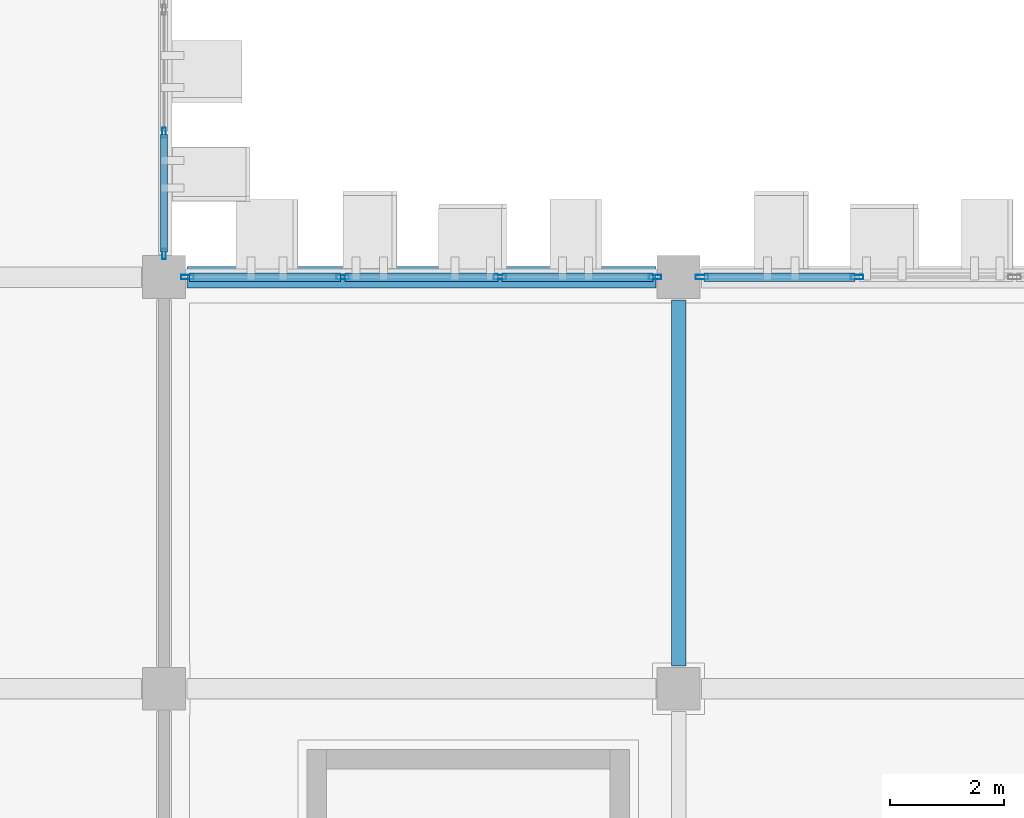
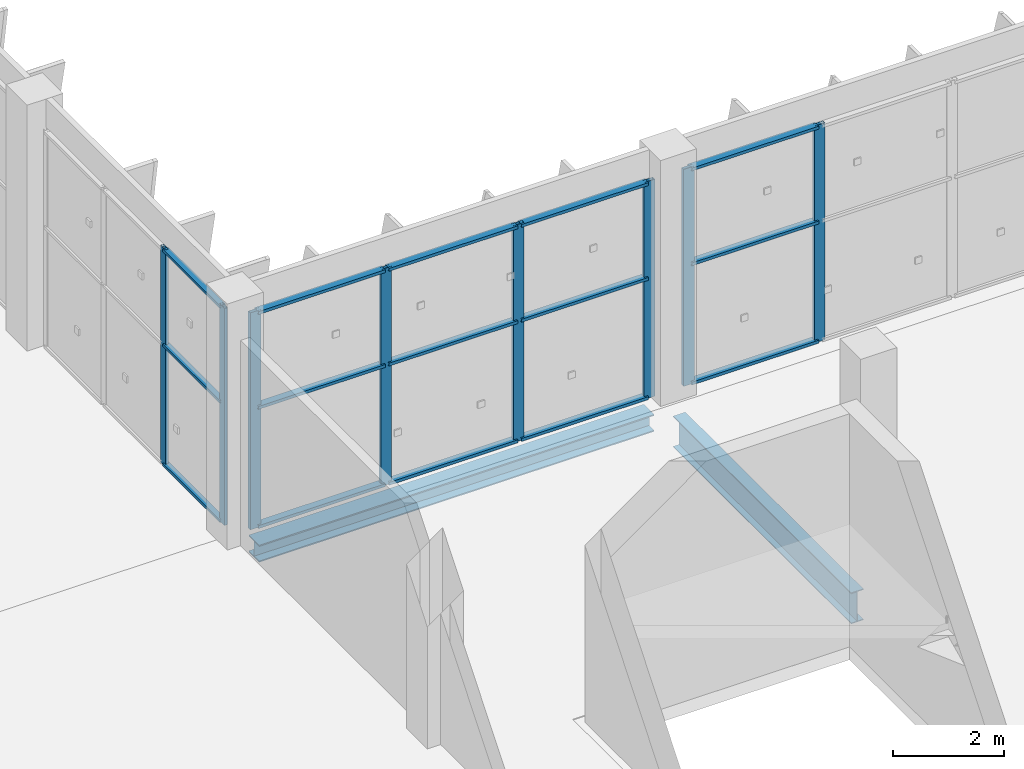
# One storey, part 53 of 189: 23 members, 2 beams, 3 elements without a shape of their own.
"""IFC4 building model written with IfcOpenShell, lengths in metres."""

from ifc_helpers import new_model, si_unit, direction, frame, origin, origin_2d, place, context, subcontext, project, spatial, hollow_rectangle, i_section, extrude, material, layer, layer_set, material_profile, profile_set, type_object, element, aggregate, save


model = new_model("IFC4")

# Units and contexts
model_context = context("Model", 3, precision=1e-05, world=origin(), true_north=direction((0.0, 1.0)))
body_context = subcontext(model_context, "Body", "Model", "MODEL_VIEW")
ifc_project = project(units=[si_unit("LENGTHUNIT", "METRE"), si_unit("AREAUNIT", "SQUARE_METRE"), si_unit("VOLUMEUNIT", "CUBIC_METRE"), si_unit("PLANEANGLEUNIT", "RADIAN"), si_unit("MASSUNIT", "GRAM", prefix="KILO")], contexts=[model_context])

# Site, building, storey
site_placement = place(None, origin())
site = spatial("IfcSite", under=ifc_project, at=site_placement, CompositionType="ELEMENT")
building_placement = place(site_placement, origin())
building = spatial("IfcBuilding", under=site, at=building_placement, Name="Celestram Park Convention Centre", CompositionType="ELEMENT")
storey_placement = place(building_placement, frame((0.0, 0.0, 5.39990234375)))
storey = spatial("IfcBuildingStorey", under=building, at=storey_placement, Name="L01", CompositionType="ELEMENT", Elevation=5.39990234375)

# Curtain wall, members
ifc_material_1 = material(Name="Anodised Aluminium Alloy 6063-T6", Category="aluminium")
ifc_layer_1 = layer(ifc_material_1, 0.179931640625)
ifc_layer_set_1 = layer_set([ifc_layer_1], Name="Anodised Aluminium Alloy 6063-T6")
curtain_wall_type_1 = type_object("IfcCurtainWallType", Name="ARC-CW-645X476", PredefinedType="NOTDEFINED", material=ifc_layer_set_1)
curtain_wall_1_placement = place(storey_placement, origin())
curtain_wall_1 = element("IfcCurtainWall", 1, at=curtain_wall_1_placement, inside=storey, type_object=curtain_wall_type_1, Name="Unitised curtain wall CU-L01-097", PredefinedType="NOTDEFINED")
ifc_material_profile_1 = material_profile(ifc_material_1, hollow_rectangle(XDim=0.06494140625, YDim=0.179931640625, WallThickness=0.00390625, at=origin_2d()), Name="ALU65X180X4")
ifc_profile_set_1 = profile_set([ifc_material_profile_1], Name="Anodised Aluminium Alloy 6063-T6")
member_type_1 = type_object("IfcMemberType", Name="ARC-CWM-150", PredefinedType="MULLION", material=ifc_profile_set_1)
member_1_placement = place(storey_placement, frame((144.0, 38.5244140625, 0.0), z_axis=(0.0, 0.0, 1.0), x_axis=(1.0, 0.0, 0.0)))
member_1 = element("IfcMember", 2, at=member_1_placement, type_object=member_type_1, Name="CW-64X47 mullion 3", PredefinedType="MULLION", context=body_context, shape_type="SweptSolid", body=[
    extrude(hollow_rectangle(XDim=0.06494140625, YDim=0.179931640625, WallThickness=0.00390625, at=origin_2d()), origin(), (0.0, 0.0, 1.0), 4.76416015625),
])
member_2_placement = place(storey_placement, frame((144.0, 36.405517578125, 0.0), z_axis=(0.0, 0.0, 1.0), x_axis=(1.0, 0.0, 0.0)))
member_2 = element("IfcMember", 3, at=member_2_placement, type_object=member_type_1, Name="CW-64X47 mullion 4", PredefinedType="MULLION", context=body_context, shape_type="SweptSolid", body=[
    extrude(hollow_rectangle(XDim=0.06494140625, YDim=0.179931640625, WallThickness=0.00390625, at=origin_2d()), origin(), (0.0, 0.0, 1.0), 4.76416015625),
])

ifc_layer_2 = layer(ifc_material_1, 0.179931640625)
ifc_layer_set_2 = layer_set([ifc_layer_2], Name="Anodised Aluminium Alloy 6063-T6")
curtain_wall_type_2 = type_object("IfcCurtainWallType", Name="ARC-CW-825X476", PredefinedType="NOTDEFINED", material=ifc_layer_set_2)
curtain_wall_2_placement = place(storey_placement, origin())
curtain_wall_2 = element("IfcCurtainWall", 4, at=curtain_wall_2_placement, inside=storey, type_object=curtain_wall_type_2, Name="Unitised curtain wall CU-L01-098", PredefinedType="NOTDEFINED")
ifc_material_profile_2 = material_profile(ifc_material_1, hollow_rectangle(XDim=0.074951171875, YDim=0.219970703125, WallThickness=0.00390625, at=origin_2d()), Name="ALU75X220X4")
ifc_profile_set_2 = profile_set([ifc_material_profile_2], Name="Anodised Aluminium Alloy 6063-T6")
member_type_2 = type_object("IfcMemberType", Name="ARC-CWM-180", PredefinedType="MULLION", material=ifc_profile_set_2)
member_3_placement = place(storey_placement, frame((144.410400390625, 36.0, 0.0), z_axis=(0.0, 0.0, 1.0), x_axis=(0.0, 1.0, 0.0)))
member_3 = element("IfcMember", 5, at=member_3_placement, type_object=member_type_2, Name="CW-82X47 mullion 1", PredefinedType="MULLION", context=body_context, shape_type="SweptSolid", body=[
    extrude(hollow_rectangle(XDim=0.074951171875, YDim=0.219970703125, WallThickness=0.00390625, at=origin_2d()), origin(), (0.0, 0.0, 1.0), 4.76416015625),
])
member_4_placement = place(storey_placement, frame((147.124267578125, 36.0, 0.0), z_axis=(0.0, 0.0, 1.0), x_axis=(0.0, 1.0, 0.0)))
member_4 = element("IfcMember", 6, at=member_4_placement, type_object=member_type_2, Name="CW-82X47 mullion 2", PredefinedType="MULLION", context=body_context, shape_type="SweptSolid", body=[
    extrude(hollow_rectangle(XDim=0.074951171875, YDim=0.219970703125, WallThickness=0.00390625, at=origin_2d()), origin(), (0.0, 0.0, 1.0), 4.76416015625),
])
member_5_placement = place(storey_placement, frame((149.875732421875, 36.0, 0.0), z_axis=(0.0, 0.0, 1.0), x_axis=(0.0, 1.0, 0.0)))
member_5 = element("IfcMember", 7, at=member_5_placement, type_object=member_type_2, Name="CW-82X47 mullion 3", PredefinedType="MULLION", context=body_context, shape_type="SweptSolid", body=[
    extrude(hollow_rectangle(XDim=0.074951171875, YDim=0.219970703125, WallThickness=0.00390625, at=origin_2d()), origin(), (0.0, 0.0, 1.0), 4.76416015625),
])
member_6_placement = place(storey_placement, frame((152.589599609375, 36.0, 0.0), z_axis=(0.0, 0.0, 1.0), x_axis=(0.0, 1.0, 0.0)))
member_6 = element("IfcMember", 8, at=member_6_placement, type_object=member_type_2, Name="CW-82X47 mullion 4", PredefinedType="MULLION", context=body_context, shape_type="SweptSolid", body=[
    extrude(hollow_rectangle(XDim=0.074951171875, YDim=0.219970703125, WallThickness=0.00390625, at=origin_2d()), origin(), (0.0, 0.0, 1.0), 4.76416015625),
])

curtain_wall_3_placement = place(storey_placement, origin())
curtain_wall_3 = element("IfcCurtainWall", 9, at=curtain_wall_3_placement, inside=storey, type_object=curtain_wall_type_2, Name="Unitised curtain wall CU-L01-099", PredefinedType="NOTDEFINED")
member_7_placement = place(storey_placement, frame((153.410400390625, 36.0, 0.0), z_axis=(0.0, 0.0, 1.0), x_axis=(0.0, 1.0, 0.0)))
member_7 = element("IfcMember", 10, at=member_7_placement, type_object=member_type_2, Name="CW-82X47 mullion 1", PredefinedType="MULLION", context=body_context, shape_type="SweptSolid", body=[
    extrude(hollow_rectangle(XDim=0.074951171875, YDim=0.219970703125, WallThickness=0.00390625, at=origin_2d()), origin(), (0.0, 0.0, 1.0), 4.76416015625),
])
member_8_placement = place(storey_placement, frame((156.124267578125, 36.0, 0.0), z_axis=(0.0, 0.0, 1.0), x_axis=(0.0, 1.0, 0.0)))
member_8 = element("IfcMember", 11, at=member_8_placement, type_object=member_type_2, Name="CW-82X47 mullion 2", PredefinedType="MULLION", context=body_context, shape_type="SweptSolid", body=[
    extrude(hollow_rectangle(XDim=0.074951171875, YDim=0.219970703125, WallThickness=0.00390625, at=origin_2d()), origin(), (0.0, 0.0, 1.0), 4.76416015625),
])

# Member
ifc_material_profile_3 = material_profile(ifc_material_1, hollow_rectangle(XDim=0.1201171875, YDim=0.06005859375, WallThickness=0.0029296875, at=origin_2d()), Name="ALU120X60X3")
ifc_profile_set_3 = profile_set([ifc_material_profile_3], Name="Anodised Aluminium Alloy 6063-T6")
member_type_3 = type_object("IfcMemberType", Name="ARC-CWT-120", PredefinedType="USERDEFINED", material=ifc_profile_set_3)
member_9_placement = place(storey_placement, frame((144.0, 38.491943359375, 0.030029296875), z_axis=(0.0, -1.0, 0.0), x_axis=(1.0, 0.0, 0.0)))
member_9 = element("IfcMember", 12, at=member_9_placement, type_object=member_type_3, Name="CW-64X47 transom 3.1", ObjectType="TRANSOM", PredefinedType="USERDEFINED", context=body_context, shape_type="SweptSolid", body=[
    extrude(hollow_rectangle(XDim=0.1201171875, YDim=0.06005859375, WallThickness=0.0029296875, at=origin_2d()), origin(), (0.0, 0.0, 1.0), 2.053955078125),
])

member_10_placement = place(storey_placement, frame((144.0, 38.491943359375, 2.650146484375), z_axis=(0.0, -1.0, 0.0), x_axis=(1.0, 0.0, 0.0)))
member_10 = element("IfcMember", 13, at=member_10_placement, type_object=member_type_3, Name="CW-64X47 transom 3.2", ObjectType="TRANSOM", PredefinedType="USERDEFINED", context=body_context, shape_type="SweptSolid", body=[
    extrude(hollow_rectangle(XDim=0.1201171875, YDim=0.06005859375, WallThickness=0.0029296875, at=origin_2d()), origin(), (0.0, 0.0, 1.0), 2.053955078125),
])

member_11_placement = place(storey_placement, frame((144.0, 38.491943359375, 4.734130859375), z_axis=(0.0, -1.0, 0.0), x_axis=(1.0, 0.0, 0.0)))
member_11 = element("IfcMember", 14, at=member_11_placement, type_object=member_type_3, Name="CW-64X47 transom 3.3", ObjectType="TRANSOM", PredefinedType="USERDEFINED", context=body_context, shape_type="SweptSolid", body=[
    extrude(hollow_rectangle(XDim=0.1201171875, YDim=0.06005859375, WallThickness=0.0029296875, at=origin_2d()), origin(), (0.0, 0.0, 1.0), 2.053955078125),
])

aggregate(curtain_wall_1, [member_1, member_2, member_9, member_10, member_11])

ifc_material_profile_4 = material_profile(ifc_material_1, hollow_rectangle(XDim=0.14990234375, YDim=0.06494140625, WallThickness=0.0029296875, at=origin_2d()), Name="ALU150X65X3")
ifc_profile_set_4 = profile_set([ifc_material_profile_4], Name="Anodised Aluminium Alloy 6063-T6")
member_type_4 = type_object("IfcMemberType", Name="ARC-CWT-150", PredefinedType="USERDEFINED", material=ifc_profile_set_4)
member_12_placement = place(storey_placement, frame((144.447998046875, 36.0, 0.03271484375), z_axis=(1.0, 0.0, 0.0), x_axis=(0.0, 1.0, 0.0)))
member_12 = element("IfcMember", 15, at=member_12_placement, type_object=member_type_4, Name="CW-82X47 transom 1.1", ObjectType="TRANSOM", PredefinedType="USERDEFINED", context=body_context, shape_type="SweptSolid", body=[
    extrude(hollow_rectangle(XDim=0.14990234375, YDim=0.06494140625, WallThickness=0.0029296875, at=origin_2d()), origin(), (0.0, 0.0, 1.0), 2.638916015625),
])

member_13_placement = place(storey_placement, frame((144.447998046875, 36.0, 2.650146484375), z_axis=(1.0, 0.0, 0.0), x_axis=(0.0, 1.0, 0.0)))
member_13 = element("IfcMember", 16, at=member_13_placement, type_object=member_type_4, Name="CW-82X47 transom 1.2", ObjectType="TRANSOM", PredefinedType="USERDEFINED", context=body_context, shape_type="SweptSolid", body=[
    extrude(hollow_rectangle(XDim=0.14990234375, YDim=0.06494140625, WallThickness=0.0029296875, at=origin_2d()), origin(), (0.0, 0.0, 1.0), 2.638916015625),
])

member_14_placement = place(storey_placement, frame((144.447998046875, 36.0, 4.731689453125), z_axis=(1.0, 0.0, 0.0), x_axis=(0.0, 1.0, 0.0)))
member_14 = element("IfcMember", 17, at=member_14_placement, type_object=member_type_4, Name="CW-82X47 transom 1.3", ObjectType="TRANSOM", PredefinedType="USERDEFINED", context=body_context, shape_type="SweptSolid", body=[
    extrude(hollow_rectangle(XDim=0.14990234375, YDim=0.06494140625, WallThickness=0.0029296875, at=origin_2d()), origin(), (0.0, 0.0, 1.0), 2.638916015625),
])

member_15_placement = place(storey_placement, frame((147.161865234375, 36.0, 0.03271484375), z_axis=(1.0, 0.0, 0.0), x_axis=(0.0, 1.0, 0.0)))
member_15 = element("IfcMember", 18, at=member_15_placement, type_object=member_type_4, Name="CW-82X47 transom 2.1", ObjectType="TRANSOM", PredefinedType="USERDEFINED", context=body_context, shape_type="SweptSolid", body=[
    extrude(hollow_rectangle(XDim=0.14990234375, YDim=0.06494140625, WallThickness=0.0029296875, at=origin_2d()), origin(), (0.0, 0.0, 1.0), 2.67626953125),
])

member_16_placement = place(storey_placement, frame((147.161865234375, 36.0, 2.650146484375), z_axis=(1.0, 0.0, 0.0), x_axis=(0.0, 1.0, 0.0)))
member_16 = element("IfcMember", 19, at=member_16_placement, type_object=member_type_4, Name="CW-82X47 transom 2.2", ObjectType="TRANSOM", PredefinedType="USERDEFINED", context=body_context, shape_type="SweptSolid", body=[
    extrude(hollow_rectangle(XDim=0.14990234375, YDim=0.06494140625, WallThickness=0.0029296875, at=origin_2d()), origin(), (0.0, 0.0, 1.0), 2.67626953125),
])

member_17_placement = place(storey_placement, frame((147.161865234375, 36.0, 4.731689453125), z_axis=(1.0, 0.0, 0.0), x_axis=(0.0, 1.0, 0.0)))
member_17 = element("IfcMember", 20, at=member_17_placement, type_object=member_type_4, Name="CW-82X47 transom 2.3", ObjectType="TRANSOM", PredefinedType="USERDEFINED", context=body_context, shape_type="SweptSolid", body=[
    extrude(hollow_rectangle(XDim=0.14990234375, YDim=0.06494140625, WallThickness=0.0029296875, at=origin_2d()), origin(), (0.0, 0.0, 1.0), 2.67626953125),
])

member_18_placement = place(storey_placement, frame((149.9130859375, 36.0, 0.03271484375), z_axis=(1.0, 0.0, 0.0), x_axis=(0.0, 1.0, 0.0)))
member_18 = element("IfcMember", 21, at=member_18_placement, type_object=member_type_4, Name="CW-82X47 transom 3.1", ObjectType="TRANSOM", PredefinedType="USERDEFINED", context=body_context, shape_type="SweptSolid", body=[
    extrude(hollow_rectangle(XDim=0.14990234375, YDim=0.06494140625, WallThickness=0.0029296875, at=origin_2d()), origin(), (0.0, 0.0, 1.0), 2.638916015625),
])

member_19_placement = place(storey_placement, frame((149.9130859375, 36.0, 2.650146484375), z_axis=(1.0, 0.0, 0.0), x_axis=(0.0, 1.0, 0.0)))
member_19 = element("IfcMember", 22, at=member_19_placement, type_object=member_type_4, Name="CW-82X47 transom 3.2", ObjectType="TRANSOM", PredefinedType="USERDEFINED", context=body_context, shape_type="SweptSolid", body=[
    extrude(hollow_rectangle(XDim=0.14990234375, YDim=0.06494140625, WallThickness=0.0029296875, at=origin_2d()), origin(), (0.0, 0.0, 1.0), 2.638916015625),
])

member_20_placement = place(storey_placement, frame((149.9130859375, 36.0, 4.731689453125), z_axis=(1.0, 0.0, 0.0), x_axis=(0.0, 1.0, 0.0)))
member_20 = element("IfcMember", 23, at=member_20_placement, type_object=member_type_4, Name="CW-82X47 transom 3.3", ObjectType="TRANSOM", PredefinedType="USERDEFINED", context=body_context, shape_type="SweptSolid", body=[
    extrude(hollow_rectangle(XDim=0.14990234375, YDim=0.06494140625, WallThickness=0.0029296875, at=origin_2d()), origin(), (0.0, 0.0, 1.0), 2.638916015625),
])

aggregate(curtain_wall_2, [member_3, member_4, member_5, member_6, member_12, member_13, member_14, member_15, member_16, member_17, member_18, member_19, member_20])

member_21_placement = place(storey_placement, frame((153.447998046875, 36.0, 0.03271484375), z_axis=(1.0, 0.0, 0.0), x_axis=(0.0, 1.0, 0.0)))
member_21 = element("IfcMember", 24, at=member_21_placement, type_object=member_type_4, Name="CW-82X47 transom 1.1", ObjectType="TRANSOM", PredefinedType="USERDEFINED", context=body_context, shape_type="SweptSolid", body=[
    extrude(hollow_rectangle(XDim=0.14990234375, YDim=0.06494140625, WallThickness=0.0029296875, at=origin_2d()), origin(), (0.0, 0.0, 1.0), 2.638916015625),
])

member_22_placement = place(storey_placement, frame((153.447998046875, 36.0, 2.650146484375), z_axis=(1.0, 0.0, 0.0), x_axis=(0.0, 1.0, 0.0)))
member_22 = element("IfcMember", 25, at=member_22_placement, type_object=member_type_4, Name="CW-82X47 transom 1.2", ObjectType="TRANSOM", PredefinedType="USERDEFINED", context=body_context, shape_type="SweptSolid", body=[
    extrude(hollow_rectangle(XDim=0.14990234375, YDim=0.06494140625, WallThickness=0.0029296875, at=origin_2d()), origin(), (0.0, 0.0, 1.0), 2.638916015625),
])

member_23_placement = place(storey_placement, frame((153.447998046875, 36.0, 4.731689453125), z_axis=(1.0, 0.0, 0.0), x_axis=(0.0, 1.0, 0.0)))
member_23 = element("IfcMember", 26, at=member_23_placement, type_object=member_type_4, Name="CW-82X47 transom 1.3", ObjectType="TRANSOM", PredefinedType="USERDEFINED", context=body_context, shape_type="SweptSolid", body=[
    extrude(hollow_rectangle(XDim=0.14990234375, YDim=0.06494140625, WallThickness=0.0029296875, at=origin_2d()), origin(), (0.0, 0.0, 1.0), 2.638916015625),
])

aggregate(curtain_wall_3, [member_7, member_8, member_21, member_22, member_23])

# Beams
ifc_material_2 = material(Name="Steel ASTM A992 Grade 50", Category="steel")
ifc_material_profile_5 = material_profile(ifc_material_2, i_section(OverallWidth=0.25390625, OverallDepth=0.68310546875, WebThickness=0.012451171875, FlangeThickness=0.01904296875, at=origin_2d()), Name="W27X94")
ifc_profile_set_5 = profile_set([ifc_material_profile_5], Name="Steel ASTM A992 Grade 50")
beam_type_1 = type_object("IfcBeamType", Name="STR-BM-W27X94", PredefinedType="BEAM", material=ifc_profile_set_5)
beam_1_placement = place(storey_placement, frame((153.0, 29.197998046875, -0.621337890625), z_axis=(0.0, 1.0, 0.0), x_axis=(-1.0, 0.0, 0.0)))
element("IfcBeam", 27, at=beam_1_placement, inside=storey, type_object=beam_type_1, Name="Primary Y-girder BG-L01-0365", PredefinedType="BEAM", context=body_context, shape_type="SweptSolid", body=[
    extrude(i_section(OverallWidth=0.25390625, OverallDepth=0.68310546875, WebThickness=0.012451171875, FlangeThickness=0.01904296875, at=origin_2d()), origin(), (0.0, 0.0, 1.0), 6.404052734375),
])
ifc_material_profile_6 = material_profile(ifc_material_2, i_section(OverallWidth=0.373046875, OverallDepth=0.373046875, WebThickness=0.016357421875, FlangeThickness=0.026123046875, at=origin_2d()), Name="W14X132")
ifc_profile_set_6 = profile_set([ifc_material_profile_6], Name="Steel ASTM A992 Grade 50")
beam_type_2 = type_object("IfcBeamType", Name="STR-SPN-W14X132", PredefinedType="SPANDREL", material=ifc_profile_set_6)
beam_2_placement = place(storey_placement, frame((144.39794921875, 36.0, -0.46630859375), z_axis=(1.0, 0.0, 0.0), x_axis=(0.0, 1.0, 0.0)))
element("IfcBeam", 28, at=beam_2_placement, inside=storey, type_object=beam_type_2, Name="Primary X-girder BG-L01-0334", PredefinedType="SPANDREL", context=body_context, shape_type="SweptSolid", body=[
    extrude(i_section(OverallWidth=0.373046875, OverallDepth=0.373046875, WebThickness=0.016357421875, FlangeThickness=0.026123046875, at=origin_2d()), origin(), (0.0, 0.0, 1.0), 8.2041015625),
])

save(model, "model.ifc")
